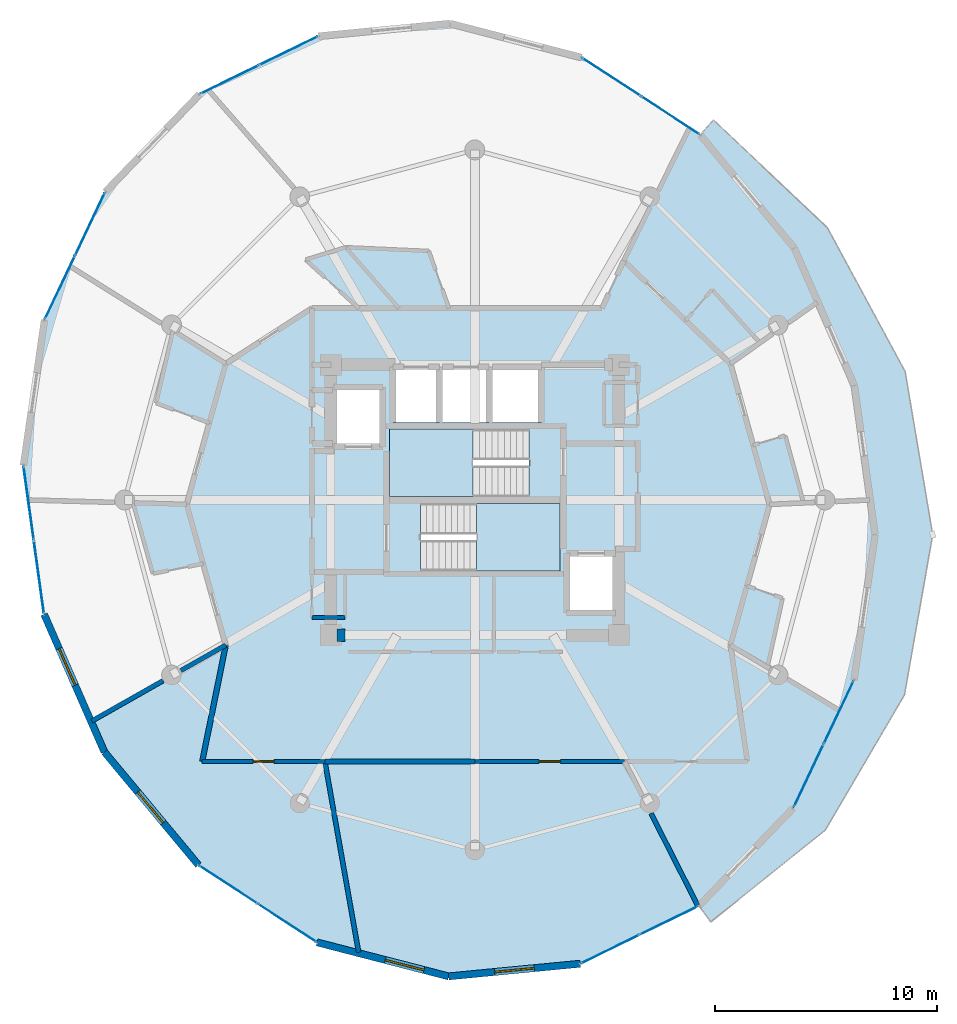
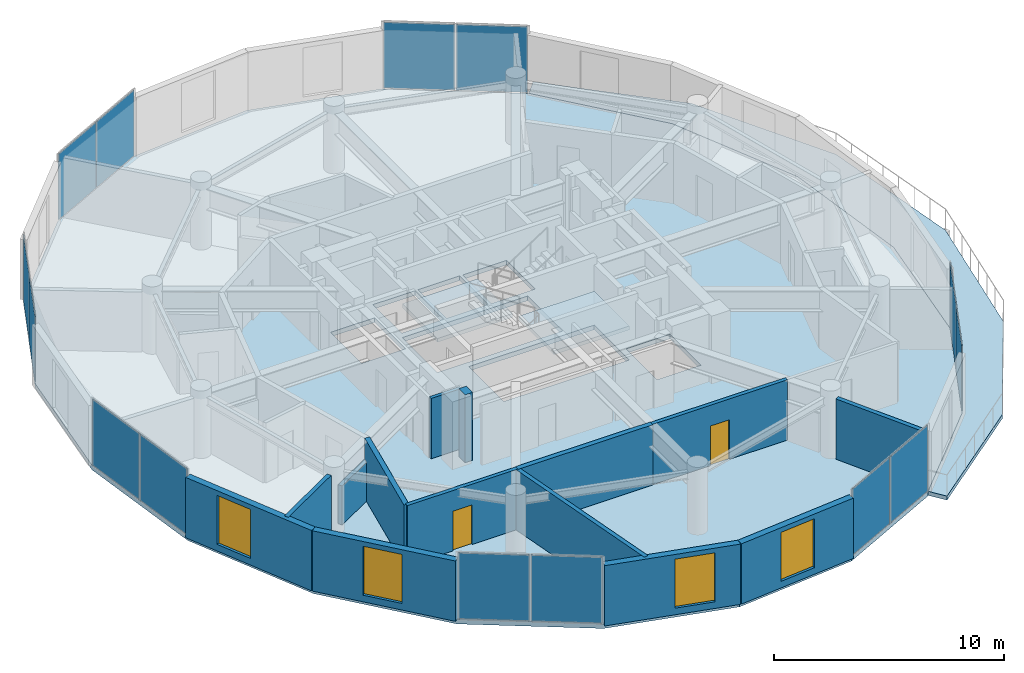
# One storey, part 16 of 22: 14 plates, 14 walls, 4 slabs, 4 windows, 2 doors, 6 openings, 9 elements without a shape of their own.
"""IFC4 building model written with IfcOpenShell, lengths in metres."""

from ifc_helpers import new_model, si_unit, direction, frame, frame_2d, origin, origin_2d, place, context, subcontext, project, spatial, polyline, rectangle, outline, extrude, source, transform, mapped, material, layer, layer_set, type_object, element, fill, aggregate, save


model = new_model("IFC4")

# Units and contexts
model_context = context("Model", 3, precision=1e-05, world=origin(), true_north=direction((0.0, 1.0)))
body_context = subcontext(model_context, "Body", "Model", "MODEL_VIEW")
ifc_project = project(units=[si_unit("LENGTHUNIT", "METRE"), si_unit("AREAUNIT", "SQUARE_METRE"), si_unit("VOLUMEUNIT", "CUBIC_METRE"), si_unit("PLANEANGLEUNIT", "RADIAN"), si_unit("MASSUNIT", "GRAM", prefix="KILO")], contexts=[model_context])

# Site, building, storey
site_placement = place(None, origin())
site = spatial("IfcSite", under=ifc_project, at=site_placement, CompositionType="ELEMENT")
building_placement = place(site_placement, origin())
building = spatial("IfcBuilding", under=site, at=building_placement, Name="Solvirekh Grand Hotel", CompositionType="ELEMENT")
storey_placement = place(building_placement, frame((0.0, 0.0, 230.800048828125)))
storey = spatial("IfcBuildingStorey", under=building, at=storey_placement, Name="L60", CompositionType="ELEMENT", Elevation=230.800048828125)

# Slab
ifc_material_1 = material(Name="Concrete C50/60", Category="concrete")
ifc_layer_1 = layer(ifc_material_1, 0.215087890625)
ifc_layer_set_1 = layer_set([ifc_layer_1], Name="Concrete C50/60")
slab_type_1 = type_object("IfcSlabType", Name="ExtCrescentBalc_215", PredefinedType="FLOOR", material=ifc_layer_set_1)
slab_1_placement = place(storey_placement, frame((0.0, 0.0, -0.215087890625)))
element("IfcSlab", 1, at=slab_1_placement, inside=storey, type_object=slab_type_1, Name="L60 sweeping crescent balcony slab", PredefinedType="FLOOR", context=body_context, shape_type="SweptSolid", body=[
    extrude(outline(polyline([(10.64990234375, -19.0400390625), (15.820068359375, -14.89208984375), (19.388916015625, -8.80810546875), (20.666015625, -1.56396484375), (19.4189453125, 5.804931640625), (15.906005859375, 12.2939453125), (10.77099609375, 17.14892578125), (10.1708984375, 16.47900390625), (14.4150390625, 11.3759765625), (17.135986328125, 5.160888671875), (18.06591796875, -1.56005859375), (17.115966796875, -8.12890625), (14.376953125, -13.90087890625), (10.118896484375, -18.31298828125), (10.64990234375, -19.0400390625)])), origin(), (0.0, 0.0, 1.0), 0.215087890625),
])

# Stair, slab
ifc_material_2 = material(Name="Concrete C40/50", Category="concrete")
stair_type = type_object("IfcStairType", Name="Stair_Core_1450", PredefinedType="HALF_TURN_STAIR", material=ifc_material_2)
stair_1_placement = place(storey_placement, origin())
stair_1 = element("IfcStair", 2, at=stair_1_placement, inside=storey, type_object=stair_type, Name="L60 Enclosed exit stair ST-1", PredefinedType="HALF_TURN_STAIR")
ifc_layer_2 = layer(ifc_material_2, 0.199951171875)
ifc_layer_set_2 = layer_set([ifc_layer_2], Name="Concrete C40/50")
slab_type_2 = type_object("IfcSlabType", Name="Landing_Stair_200", PredefinedType="LANDING", material=ifc_layer_set_2)
slab_2_placement = place(storey_placement, frame((0.0, 0.0, 1.599853515625)))
slab_2 = element("IfcSlab", 3, at=slab_2_placement, type_object=slab_type_2, Name="ST-1 landing 1", PredefinedType="LANDING", context=body_context, shape_type="SweptSolid", body=[
    extrude(outline(polyline([(0.070068359375, -3.199951171875), (3.85009765625, -3.199951171875), (3.85009765625, -0.14990234375), (0.070068359375, -0.14990234375), (0.070068359375, -3.199951171875)])), origin(), (0.0, 0.0, 1.0), 0.2001953125),
])
aggregate(stair_1, [slab_2])

stair_2_placement = place(storey_placement, origin())
stair_2 = element("IfcStair", 4, at=stair_2_placement, inside=storey, type_object=stair_type, Name="L60 Enclosed exit stair ST-2", PredefinedType="HALF_TURN_STAIR")
slab_3_placement = place(storey_placement, frame((0.0, 0.0, 1.599853515625)))
slab_3 = element("IfcSlab", 5, at=slab_3_placement, type_object=slab_type_2, Name="ST-2 landing 1", PredefinedType="LANDING", context=body_context, shape_type="SweptSolid", body=[
    extrude(outline(polyline([(-0.070068359375, 3.199951171875), (-3.85009765625, 3.199951171875), (-3.85009765625, 0.14990234375), (-0.070068359375, 0.14990234375), (-0.070068359375, 3.199951171875)])), origin(), (0.0, 0.0, 1.0), 0.2001953125),
])
aggregate(stair_2, [slab_3])

# Slab
ifc_layer_3 = layer(ifc_material_2, 0.239990234375)
ifc_layer_set_3 = layer_set([ifc_layer_3], Name="Concrete C40/50")
slab_type_3 = type_object("IfcSlabType", Name="Slab_GuestZ3_240", PredefinedType="FLOOR", material=ifc_layer_set_3)
slab_4_placement = place(storey_placement, frame((0.0, 0.0, -0.239990234375)))
element("IfcSlab", 6, at=slab_4_placement, inside=storey, type_object=slab_type_3, Name="L60 structural floor slab", PredefinedType="FLOOR", context=body_context, shape_type="SweptSolid", body=[
    extrude(outline(polyline([(4.757080078125, -20.931884765625), (10.118896484375, -18.31298828125), (14.376953125, -13.90087890625), (17.115966796875, -8.12890625), (18.06591796875, -1.56005859375), (17.135986328125, 5.160888671875), (14.4150390625, 11.3759765625), (10.1708984375, 16.47900390625), (4.819091796875, 19.968017578125), (-1.117919921875, 21.5029296875), (-7.056884765625, 20.931884765625), (-12.4189453125, 18.31298828125), (-16.677001953125, 13.90087890625), (-19.416015625, 8.12890625), (-20.365966796875, 1.56005859375), (-19.43603515625, -5.160888671875), (-16.715087890625, -11.3759765625), (-12.470947265625, -16.47900390625), (-7.118896484375, -19.968017578125), (-1.181884765625, -21.5029296875), (4.757080078125, -20.931884765625)]), holes=[polyline([(-2.444091796875, -0.14990234375), (3.85009765625, -0.14990234375), (3.85009765625, -3.199951171875), (-2.444091796875, -3.199951171875), (-2.444091796875, -0.14990234375)]), polyline([(2.444091796875, 0.14990234375), (-3.85009765625, 0.14990234375), (-3.85009765625, 3.199951171875), (2.444091796875, 3.199951171875), (2.444091796875, 0.14990234375)]), polyline([(-3.699951171875, 6.0), (-1.60009765625, 6.0), (-1.60009765625, 3.5), (-3.699951171875, 3.5), (-3.699951171875, 6.0)]), polyline([(-1.449951171875, 6.0), (0.64990234375, 6.0), (0.64990234375, 3.5), (-1.449951171875, 3.5), (-1.449951171875, 6.0)]), polyline([(0.800048828125, 6.0), (3.0, 6.0), (3.0, 3.5), (0.800048828125, 3.5), (0.800048828125, 6.0)]), polyline([(-6.35009765625, 5.10009765625), (-4.14990234375, 5.10009765625), (-4.14990234375, 2.39990234375), (-6.35009765625, 2.39990234375), (-6.35009765625, 5.10009765625)]), polyline([(4.14990234375, -2.39990234375), (6.35009765625, -2.39990234375), (6.35009765625, -5.10009765625), (4.14990234375, -5.10009765625), (4.14990234375, -2.39990234375)])]), origin(), (0.0, 0.0, 1.0), 0.239990234375),
])

# Curtain wall, plates
ifc_material_3 = material(Name="Anodized Bronze Aluminium 6063-T6", Category="aluminium")
ifc_layer_4 = layer(ifc_material_3, 0.159912109375)
ifc_layer_set_4 = layer_set([ifc_layer_4], Name="Anodized Bronze Aluminium 6063-T6")
curtain_wall_type = type_object("IfcCurtainWallType", Name="CW_Sys4_HighZoneFlushBronzeCW", PredefinedType="NOTDEFINED", material=ifc_layer_set_4)
curtain_wall_1_placement = place(storey_placement, origin())
curtain_wall_1 = element("IfcCurtainWall", 7, at=curtain_wall_1_placement, inside=storey, type_object=curtain_wall_type, Name="L60 unitised bronze-glass curtain wall CW-L60-C15", PredefinedType="NOTDEFINED")
ifc_material_4 = material(Name="Low-E Tinted Bronze Laminated Glass", Category="aluminium")
ifc_layer_5 = layer(ifc_material_4, 0.033935546875)
ifc_layer_set_5 = layer_set([ifc_layer_5], Name="Low-E Tinted Bronze Laminated Glass")
plate_type = type_object("IfcPlateType", Name="CWPanel_High_34", PredefinedType="CURTAIN_PANEL", material=ifc_layer_set_5)
shared_shape_1 = source(origin(), body_context, "Body", "SweptSolid", [
    extrude(rectangle(XDim=3.302490234375, YDim=0.033935546875, at=origin_2d()), origin(), (0.0, 0.0, 1.0), 3.489990234375),
])
plate_1_placement = place(storey_placement, frame((-20.13134765625, -0.135009765625, 0.05517578125), z_axis=(0.0, 0.0, 1.0), x_axis=(0.13706629153, -0.990561876778, 0.0)))
plate_1 = element("IfcPlate", 8, at=plate_1_placement, type_object=plate_type, Name="U04 panel 1.1", PredefinedType="CURTAIN_PANEL", context=body_context, shape_type="MappedRepresentation", body=[
    mapped(shared_shape_1, transform((0.0, 0.0, 0.0), x_axis=(1.0, 0.0, 0.0), y_axis=(0.0, 1.0, 0.0), z_axis=(0.0, 0.0, 1.0), scale=1.0)),
])
plate_2_placement = place(storey_placement, frame((-19.670654296875, -3.4658203125, 0.05517578125), z_axis=(0.0, 0.0, 1.0), x_axis=(0.13706629153, -0.990561876778, 0.0)))
plate_2 = element("IfcPlate", 9, at=plate_2_placement, type_object=plate_type, Name="U04 panel 2.1", PredefinedType="CURTAIN_PANEL", context=body_context, shape_type="MappedRepresentation", body=[
    mapped(shared_shape_1, transform((0.0, 0.0, 0.0), x_axis=(1.0, 0.0, 0.0), y_axis=(0.0, 1.0, 0.0), z_axis=(0.0, 0.0, 1.0), scale=1.0)),
])
aggregate(curtain_wall_1, [plate_1, plate_2])

curtain_wall_2_placement = place(storey_placement, origin())
curtain_wall_2 = element("IfcCurtainWall", 10, at=curtain_wall_2_placement, inside=storey, type_object=curtain_wall_type, Name="L60 unitised bronze-glass curtain wall CW-L60-C03", PredefinedType="NOTDEFINED")
shared_shape_2 = source(origin(), body_context, "Body", "SweptSolid", [
    extrude(rectangle(XDim=3.1044921875, YDim=0.033935546875, at=origin_2d()), origin(), (0.0, 0.0, 1.0), 3.489990234375),
])
plate_3_placement = place(storey_placement, frame((15.068115234375, -12.4443359375, 0.05517578125), z_axis=(0.0, 0.0, 1.0), x_axis=(0.428711973396, 0.90344122325, 0.0)))
plate_3 = element("IfcPlate", 11, at=plate_3_placement, type_object=plate_type, Name="U04 panel 1.1", PredefinedType="CURTAIN_PANEL", context=body_context, shape_type="MappedRepresentation", body=[
    mapped(shared_shape_2, transform((0.0, 0.0, 0.0), x_axis=(1.0, 0.0, 0.0), y_axis=(0.0, 1.0, 0.0), z_axis=(0.0, 0.0, 1.0), scale=1.0)),
])
plate_4_placement = place(storey_placement, frame((16.4248046875, -9.58544921875, 0.05517578125), z_axis=(0.0, 0.0, 1.0), x_axis=(0.428711973396, 0.90344122325, 0.0)))
plate_4 = element("IfcPlate", 12, at=plate_4_placement, type_object=plate_type, Name="U04 panel 2.1", PredefinedType="CURTAIN_PANEL", context=body_context, shape_type="MappedRepresentation", body=[
    mapped(shared_shape_2, transform((0.0, 0.0, 0.0), x_axis=(1.0, 0.0, 0.0), y_axis=(0.0, 1.0, 0.0), z_axis=(0.0, 0.0, 1.0), scale=1.0)),
])
aggregate(curtain_wall_2, [plate_3, plate_4])

curtain_wall_3_placement = place(storey_placement, origin())
curtain_wall_3 = element("IfcCurtainWall", 13, at=curtain_wall_3_placement, inside=storey, type_object=curtain_wall_type, Name="L60 unitised bronze-glass curtain wall CW-L60-C08", PredefinedType="NOTDEFINED")
plate_5_placement = place(storey_placement, frame((8.8203125, 17.359375, 0.05517578125), z_axis=(0.0, 0.0, 1.0), x_axis=(-0.837713339434, 0.546110209514, 0.0)))
plate_5 = element("IfcPlate", 14, at=plate_5_placement, type_object=plate_type, Name="U04 panel 1.1", PredefinedType="CURTAIN_PANEL", context=body_context, shape_type="MappedRepresentation", body=[
    mapped(shared_shape_2, transform((0.0, 0.0, 0.0), x_axis=(1.0, 0.0, 0.0), y_axis=(0.0, 1.0, 0.0), z_axis=(0.0, 0.0, 1.0), scale=1.0)),
])
plate_6_placement = place(storey_placement, frame((6.169677734375, 19.087646484375, 0.05517578125), z_axis=(0.0, 0.0, 1.0), x_axis=(-0.837713339434, 0.546110209514, 0.0)))
plate_6 = element("IfcPlate", 15, at=plate_6_placement, type_object=plate_type, Name="U04 panel 2.1", PredefinedType="CURTAIN_PANEL", context=body_context, shape_type="MappedRepresentation", body=[
    mapped(shared_shape_2, transform((0.0, 0.0, 0.0), x_axis=(1.0, 0.0, 0.0), y_axis=(0.0, 1.0, 0.0), z_axis=(0.0, 0.0, 1.0), scale=1.0)),
])
aggregate(curtain_wall_3, [plate_5, plate_6])

curtain_wall_4_placement = place(storey_placement, origin())
curtain_wall_4 = element("IfcCurtainWall", 16, at=curtain_wall_4_placement, inside=storey, type_object=curtain_wall_type, Name="L60 unitised bronze-glass curtain wall CW-L60-C13", PredefinedType="NOTDEFINED")
plate_7_placement = place(storey_placement, frame((-17.3681640625, 12.4443359375, 0.05517578125), z_axis=(0.0, 0.0, 1.0), x_axis=(-0.428711973396, -0.90344122325, 0.0)))
plate_7 = element("IfcPlate", 17, at=plate_7_placement, type_object=plate_type, Name="U04 panel 1.1", PredefinedType="CURTAIN_PANEL", context=body_context, shape_type="MappedRepresentation", body=[
    mapped(shared_shape_2, transform((0.0, 0.0, 0.0), x_axis=(1.0, 0.0, 0.0), y_axis=(0.0, 1.0, 0.0), z_axis=(0.0, 0.0, 1.0), scale=1.0)),
])
plate_8_placement = place(storey_placement, frame((-18.724853515625, 9.58544921875, 0.05517578125), z_axis=(0.0, 0.0, 1.0), x_axis=(-0.428711973396, -0.90344122325, 0.0)))
plate_8 = element("IfcPlate", 18, at=plate_8_placement, type_object=plate_type, Name="U04 panel 2.1", PredefinedType="CURTAIN_PANEL", context=body_context, shape_type="MappedRepresentation", body=[
    mapped(shared_shape_2, transform((0.0, 0.0, 0.0), x_axis=(1.0, 0.0, 0.0), y_axis=(0.0, 1.0, 0.0), z_axis=(0.0, 0.0, 1.0), scale=1.0)),
])
aggregate(curtain_wall_4, [plate_7, plate_8])

curtain_wall_5_placement = place(storey_placement, origin())
curtain_wall_5 = element("IfcCurtainWall", 19, at=curtain_wall_5_placement, inside=storey, type_object=curtain_wall_type, Name="L60 unitised bronze-glass curtain wall CW-L60-C18", PredefinedType="NOTDEFINED")
plate_9_placement = place(storey_placement, frame((-11.120361328125, -17.359375, 0.05517578125), z_axis=(0.0, 0.0, 1.0), x_axis=(0.837713339434, -0.546110209514, 0.0)))
plate_9 = element("IfcPlate", 20, at=plate_9_placement, type_object=plate_type, Name="U04 panel 1.1", PredefinedType="CURTAIN_PANEL", context=body_context, shape_type="MappedRepresentation", body=[
    mapped(shared_shape_2, transform((0.0, 0.0, 0.0), x_axis=(1.0, 0.0, 0.0), y_axis=(0.0, 1.0, 0.0), z_axis=(0.0, 0.0, 1.0), scale=1.0)),
])
plate_10_placement = place(storey_placement, frame((-8.469482421875, -19.087646484375, 0.05517578125), z_axis=(0.0, 0.0, 1.0), x_axis=(0.837713339434, -0.546110209514, 0.0)))
plate_10 = element("IfcPlate", 21, at=plate_10_placement, type_object=plate_type, Name="U04 panel 2.1", PredefinedType="CURTAIN_PANEL", context=body_context, shape_type="MappedRepresentation", body=[
    mapped(shared_shape_2, transform((0.0, 0.0, 0.0), x_axis=(1.0, 0.0, 0.0), y_axis=(0.0, 1.0, 0.0), z_axis=(0.0, 0.0, 1.0), scale=1.0)),
])
aggregate(curtain_wall_5, [plate_9, plate_10])

curtain_wall_6_placement = place(storey_placement, origin())
curtain_wall_6 = element("IfcCurtainWall", 22, at=curtain_wall_6_placement, inside=storey, type_object=curtain_wall_type, Name="L60 unitised bronze-glass curtain wall CW-L60-C01", PredefinedType="NOTDEFINED")
shared_shape_3 = source(origin(), body_context, "Body", "SweptSolid", [
    extrude(rectangle(XDim=2.893798828125, YDim=0.033935546875, at=origin_2d()), origin(), (0.0, 0.0, 1.0), 3.489990234375),
])
plate_11_placement = place(storey_placement, frame((6.111083984375, -20.270751953125, 0.05517578125), z_axis=(0.0, 0.0, 1.0), x_axis=(0.898544463853, 0.438882497349, 0.0)))
plate_11 = element("IfcPlate", 23, at=plate_11_placement, type_object=plate_type, Name="U04 panel 1.1", PredefinedType="CURTAIN_PANEL", context=body_context, shape_type="MappedRepresentation", body=[
    mapped(shared_shape_3, transform((0.0, 0.0, 0.0), x_axis=(1.0, 0.0, 0.0), y_axis=(0.0, 1.0, 0.0), z_axis=(0.0, 0.0, 1.0), scale=1.0)),
])
plate_12_placement = place(storey_placement, frame((8.76513671875, -18.974365234375, 0.05517578125), z_axis=(0.0, 0.0, 1.0), x_axis=(0.898544463853, 0.438882497349, 0.0)))
plate_12 = element("IfcPlate", 24, at=plate_12_placement, type_object=plate_type, Name="U04 panel 2.1", PredefinedType="CURTAIN_PANEL", context=body_context, shape_type="MappedRepresentation", body=[
    mapped(shared_shape_3, transform((0.0, 0.0, 0.0), x_axis=(1.0, 0.0, 0.0), y_axis=(0.0, 1.0, 0.0), z_axis=(0.0, 0.0, 1.0), scale=1.0)),
])
aggregate(curtain_wall_6, [plate_11, plate_12])

curtain_wall_7_placement = place(storey_placement, origin())
curtain_wall_7 = element("IfcCurtainWall", 25, at=curtain_wall_7_placement, inside=storey, type_object=curtain_wall_type, Name="L60 unitised bronze-glass curtain wall CW-L60-C11", PredefinedType="NOTDEFINED")
plate_13_placement = place(storey_placement, frame((-8.410888671875, 20.270751953125, 0.05517578125), z_axis=(0.0, 0.0, 1.0), x_axis=(-0.898544463853, -0.438882497349, 0.0)))
plate_13 = element("IfcPlate", 26, at=plate_13_placement, type_object=plate_type, Name="U04 panel 1.1", PredefinedType="CURTAIN_PANEL", context=body_context, shape_type="MappedRepresentation", body=[
    mapped(shared_shape_3, transform((0.0, 0.0, 0.0), x_axis=(1.0, 0.0, 0.0), y_axis=(0.0, 1.0, 0.0), z_axis=(0.0, 0.0, 1.0), scale=1.0)),
])
plate_14_placement = place(storey_placement, frame((-11.06494140625, 18.974365234375, 0.05517578125), z_axis=(0.0, 0.0, 1.0), x_axis=(-0.898544463853, -0.438882497349, 0.0)))
plate_14 = element("IfcPlate", 27, at=plate_14_placement, type_object=plate_type, Name="U04 panel 2.1", PredefinedType="CURTAIN_PANEL", context=body_context, shape_type="MappedRepresentation", body=[
    mapped(shared_shape_3, transform((0.0, 0.0, 0.0), x_axis=(1.0, 0.0, 0.0), y_axis=(0.0, 1.0, 0.0), z_axis=(0.0, 0.0, 1.0), scale=1.0)),
])
aggregate(curtain_wall_7, [plate_13, plate_14])

# Wall
ifc_layer_6 = layer(ifc_material_1, 0.550048828125)
ifc_layer_set_6 = layer_set([ifc_layer_6], Name="Concrete C50/60")
wall_type_1 = type_object("IfcWallType", Name="CoreWall_RC550", PredefinedType="SHEAR", material=ifc_layer_set_6)
wall_1_placement = place(storey_placement, frame((-6.22509765625, -6.10009765625, 0.0), z_axis=(0.0, 0.0, 1.0), x_axis=(1.0, 0.0, 0.0)))
element("IfcWall", 28, at=wall_1_placement, inside=storey, type_object=wall_type_1, Name="L60 core corner shear wall SW-S", PredefinedType="SHEAR", context=body_context, shape_type="SweptSolid", body=[
    extrude(rectangle(XDim=0.375, YDim=0.550048828125, at=frame_2d((0.1875, 0.0))), origin(), (0.0, 0.0, 1.0), 3.599853515625),
])

# Wall, opening, window
ifc_material_5 = material(Name="Precast concrete C45/55", Category="concrete")
ifc_layer_7 = layer(ifc_material_5, 0.320068359375)
ifc_layer_set_7 = layer_set([ifc_layer_7], Name="Precast concrete C45/55")
wall_type_2 = type_object("IfcWallType", Name="ExtLobbyWall_RC320", PredefinedType="SOLIDWALL", material=ifc_layer_set_7)
wall_2_placement = place(storey_placement, frame((-16.715087890625, -11.3759765625, 0.0), z_axis=(0.0, 0.0, 1.0), x_axis=(-0.401047234641, 0.916057375707, 0.0)))
wall_2 = element("IfcWall", 29, at=wall_2_placement, inside=storey, type_object=wall_type_2, Name="L60 exterior structural wall chord 16", PredefinedType="SOLIDWALL", context=body_context, shape_type="SweptSolid", body=[
    extrude(rectangle(XDim=6.78466796875, YDim=0.320068359375, at=frame_2d((3.392333984375, 0.0))), origin(), (0.0, 0.0, 1.0), 3.199951171875),
])
opening_1_placement = place(wall_2_placement, frame((3.2958984375, 0.0, 0.35009765625)))
opening_1 = element("IfcOpeningElement", 30, at=opening_1_placement, cuts=wall_2, Name="Opening W02", PredefinedType="OPENING", context=body_context, shape_type="SweptSolid", body=[
    extrude(rectangle(XDim=1.800048828125, YDim=2.60009765625, at=frame_2d((0.89990234375, 1.300048828125))), frame((0.0, 0.169921875, 0.0), z_axis=(0.0, -1.0, 0.0), x_axis=(1.0, 0.0, 0.0)), (0.0, 0.0, 1.0), 0.340087890625),
])
window_type = type_object("IfcWindowType", Name="Win_LobbyExt_1800X2600", PartitioningType="SINGLE_PANEL", PredefinedType="WINDOW", material=ifc_material_4)
window_1_placement = place(opening_1_placement, origin())
window_1 = element("IfcWindow", 31, at=window_1_placement, inside=storey, type_object=window_type, Name="L60 panoramic bronze-framed window 16", OverallHeight=2.60009765625, OverallWidth=1.800048828125, PartitioningType="SINGLE_PANEL", PredefinedType="WINDOW", context=body_context, shape_type="SweptSolid", body=[
    extrude(rectangle(XDim=1.800048828125, YDim=2.60009765625, at=frame_2d((0.89990234375, 1.300048828125))), frame((0.0, 0.030029296875, 0.0), z_axis=(0.0, -1.0, 0.0), x_axis=(1.0, 0.0, 0.0)), (0.0, 0.0, 1.0), 0.06005859375),
])
fill(opening_1, window_1)

wall_3_placement = place(storey_placement, frame((-12.470947265625, -16.47900390625, 0.0), z_axis=(0.0, 0.0, 1.0), x_axis=(-0.639438786748, 0.76884201108, 0.0)))
wall_3 = element("IfcWall", 32, at=wall_3_placement, inside=storey, type_object=wall_type_2, Name="L60 exterior structural wall chord 17", PredefinedType="SOLIDWALL", context=body_context, shape_type="SweptSolid", body=[
    extrude(rectangle(XDim=6.63720703125, YDim=0.320068359375, at=frame_2d((3.318603515625, 0.0))), origin(), (0.0, 0.0, 1.0), 3.199951171875),
])
opening_2_placement = place(wall_3_placement, frame((2.488037109375, 0.0, 0.35009765625)))
opening_2 = element("IfcOpeningElement", 33, at=opening_2_placement, cuts=wall_3, Name="Opening W02", PredefinedType="OPENING", context=body_context, shape_type="SweptSolid", body=[
    extrude(rectangle(XDim=1.800048828125, YDim=2.60009765625, at=frame_2d((0.89990234375, 1.300048828125))), frame((0.0, 0.169921875, 0.0), z_axis=(0.0, -1.0, 0.0), x_axis=(1.0, 0.0, 0.0)), (0.0, 0.0, 1.0), 0.340087890625),
])
window_2_placement = place(opening_2_placement, origin())
window_2 = element("IfcWindow", 34, at=window_2_placement, inside=storey, type_object=window_type, Name="L60 panoramic bronze-framed window 17", OverallHeight=2.60009765625, OverallWidth=1.800048828125, PartitioningType="SINGLE_PANEL", PredefinedType="WINDOW", context=body_context, shape_type="SweptSolid", body=[
    extrude(rectangle(XDim=1.800048828125, YDim=2.60009765625, at=frame_2d((0.89990234375, 1.300048828125))), frame((0.0, 0.030029296875, 0.0), z_axis=(0.0, -1.0, 0.0), x_axis=(1.0, 0.0, 0.0)), (0.0, 0.0, 1.0), 0.06005859375),
])
fill(opening_2, window_2)

wall_4_placement = place(storey_placement, frame((-1.181884765625, -21.5029296875, 0.0), z_axis=(0.0, 0.0, 1.0), x_axis=(-0.968167541314, 0.250303040227, 0.0)))
wall_4 = element("IfcWall", 35, at=wall_4_placement, inside=storey, type_object=wall_type_2, Name="L60 exterior structural wall chord 19", PredefinedType="SOLIDWALL", context=body_context, shape_type="SweptSolid", body=[
    extrude(rectangle(XDim=6.13232421875, YDim=0.320068359375, at=frame_2d((3.066162109375, 0.0))), origin(), (0.0, 0.0, 1.0), 3.199951171875),
])
opening_3_placement = place(wall_4_placement, frame((1.15087890625, 0.0, 0.35009765625)))
opening_3 = element("IfcOpeningElement", 36, at=opening_3_placement, cuts=wall_4, Name="Opening W02", PredefinedType="OPENING", context=body_context, shape_type="SweptSolid", body=[
    extrude(rectangle(XDim=1.800048828125, YDim=2.60009765625, at=frame_2d((0.89990234375, 1.300048828125))), frame((0.0, 0.169921875, 0.0), z_axis=(0.0, -1.0, 0.0), x_axis=(1.0, 0.0, 0.0)), (0.0, 0.0, 1.0), 0.340087890625),
])
window_3_placement = place(opening_3_placement, origin())
window_3 = element("IfcWindow", 37, at=window_3_placement, inside=storey, type_object=window_type, Name="L60 panoramic bronze-framed window 19", OverallHeight=2.60009765625, OverallWidth=1.800048828125, PartitioningType="SINGLE_PANEL", PredefinedType="WINDOW", context=body_context, shape_type="SweptSolid", body=[
    extrude(rectangle(XDim=1.800048828125, YDim=2.60009765625, at=frame_2d((0.89990234375, 1.300048828125))), frame((0.0, 0.030029296875, 0.0), z_axis=(0.0, -1.0, 0.0), x_axis=(1.0, 0.0, 0.0)), (0.0, 0.0, 1.0), 0.06005859375),
])
fill(opening_3, window_3)

wall_5_placement = place(storey_placement, frame((4.757080078125, -20.931884765625, 0.0), z_axis=(0.0, 0.0, 1.0), x_axis=(-0.995409179042, -0.095710847233, 0.0)))
wall_5 = element("IfcWall", 38, at=wall_5_placement, inside=storey, type_object=wall_type_2, Name="L60 exterior structural wall chord 20", PredefinedType="SOLIDWALL", context=body_context, shape_type="SweptSolid", body=[
    extrude(rectangle(XDim=5.96630859375, YDim=0.320068359375, at=frame_2d((2.983154296875, 0.0))), origin(), (0.0, 0.0, 1.0), 3.199951171875),
])
opening_4_placement = place(wall_5_placement, frame((2.0830078125, 0.0, 0.35009765625)))
opening_4 = element("IfcOpeningElement", 39, at=opening_4_placement, cuts=wall_5, Name="Opening W02", PredefinedType="OPENING", context=body_context, shape_type="SweptSolid", body=[
    extrude(rectangle(XDim=1.800048828125, YDim=2.60009765625, at=frame_2d((0.89990234375, 1.300048828125))), frame((0.0, 0.169921875, 0.0), z_axis=(0.0, -1.0, 0.0), x_axis=(1.0, 0.0, 0.0)), (0.0, 0.0, 1.0), 0.340087890625),
])
window_4_placement = place(opening_4_placement, origin())
window_4 = element("IfcWindow", 40, at=window_4_placement, inside=storey, type_object=window_type, Name="L60 panoramic bronze-framed window 20", OverallHeight=2.60009765625, OverallWidth=1.800048828125, PartitioningType="SINGLE_PANEL", PredefinedType="WINDOW", context=body_context, shape_type="SweptSolid", body=[
    extrude(rectangle(XDim=1.800048828125, YDim=2.60009765625, at=frame_2d((0.89990234375, 1.300048828125))), frame((0.0, 0.030029296875, 0.0), z_axis=(0.0, -1.0, 0.0), x_axis=(1.0, 0.0, 0.0)), (0.0, 0.0, 1.0), 0.06005859375),
])
fill(opening_4, window_4)

# Walls
ifc_material_6 = material(Name="Acoustic Gypsum Partition Assembly")
ifc_layer_8 = layer(ifc_material_6, 0.1650390625)
ifc_layer_set_8 = layer_set([ifc_layer_8], Name="Acoustic Gypsum Partition Assembly")
wall_type_3 = type_object("IfcWallType", Name="Part_BOH_165", PredefinedType="PARTITIONING", material=ifc_layer_set_8)
wall_6_placement = place(storey_placement, frame((-7.35009765625, -5.300048828125, 0.0), z_axis=(0.0, 0.0, 1.0), x_axis=(1.0, 0.0, 0.0)))
element("IfcWall", 41, at=wall_6_placement, inside=storey, type_object=wall_type_3, Name="L60 L60 Butler Service Closet wall 1", PredefinedType="PARTITIONING", context=body_context, shape_type="SweptSolid", body=[
    extrude(rectangle(XDim=1.5, YDim=0.1650390625, at=frame_2d((0.75, 0.0))), origin(), (0.0, 0.0, 1.0), 3.199951171875),
])
ifc_layer_9 = layer(ifc_material_6, 0.239990234375)
ifc_layer_set_9 = layer_set([ifc_layer_9], Name="Acoustic Gypsum Partition Assembly")
wall_type_4 = type_object("IfcWallType", Name="Part_Corridor_240", PredefinedType="PARTITIONING", material=ifc_layer_set_9)
wall_7_placement = place(storey_placement, frame((-11.238037109375, -6.550048828125, 0.0), z_axis=(0.0, 0.0, 1.0), x_axis=(-0.198271934001, -0.980147050288, 0.0)))
element("IfcWall", 42, at=wall_7_placement, inside=storey, type_object=wall_type_4, Name="L60 L60 Observatory Reading Lounge corridor wall 1", PredefinedType="PARTITIONING", context=body_context, shape_type="SweptSolid", body=[
    extrude(rectangle(XDim=5.3564453125, YDim=0.239990234375, at=frame_2d((2.67822265625, 0.0))), origin(), (0.0, 0.0, 1.0), 3.199951171875),
])
wall_8_placement = place(storey_placement, frame((-6.764892578125, -11.800048828125, 0.0), z_axis=(0.0, 0.0, 1.0), x_axis=(1.0, 0.0, 0.0)))
element("IfcWall", 43, at=wall_8_placement, inside=storey, type_object=wall_type_4, Name="L60 L60 Riverfront Reading Lounge corridor wall 1", PredefinedType="PARTITIONING", context=body_context, shape_type="SweptSolid", body=[
    extrude(rectangle(XDim=6.764892578125, YDim=0.239990234375, at=frame_2d((3.38232421875, 0.0))), origin(), (0.0, 0.0, 1.0), 3.199951171875),
])

# Wall, opening, door
ifc_layer_10 = layer(ifc_material_6, 0.18994140625)
ifc_layer_set_10 = layer_set([ifc_layer_10], Name="Acoustic Gypsum Partition Assembly")
wall_type_5 = type_object("IfcWallType", Name="Part_GuestDemise_190", PredefinedType="PARTITIONING", material=ifc_layer_set_10)
wall_9_placement = place(storey_placement, frame((-12.300048828125, -11.800048828125, 0.0), z_axis=(0.0, 0.0, 1.0), x_axis=(1.0, 0.0, 0.0)))
wall_9 = element("IfcWall", 44, at=wall_9_placement, inside=storey, type_object=wall_type_5, Name="L60 L60 Observatory Reading Lounge entrance wall", PredefinedType="PARTITIONING", context=body_context, shape_type="SweptSolid", body=[
    extrude(rectangle(XDim=5.53515625, YDim=0.18994140625, at=frame_2d((2.767578125, 0.0))), origin(), (0.0, 0.0, 1.0), 3.199951171875),
])
opening_5_placement = place(wall_9_placement, frame((2.29296875, 0.0, 0.0)))
opening_5 = element("IfcOpeningElement", 45, at=opening_5_placement, cuts=wall_9, Name="Opening D10", PredefinedType="OPENING", context=body_context, shape_type="SweptSolid", body=[
    extrude(rectangle(XDim=0.949951171875, YDim=2.10009765625, at=frame_2d((0.47509765625, 1.050048828125))), frame((0.0, 0.10498046875, 0.0), z_axis=(0.0, -1.0, 0.0), x_axis=(1.0, 0.0, 0.0)), (0.0, 0.0, 1.0), 0.2099609375),
])
door_type = type_object("IfcDoorType", Name="Door_RoomInt_950X2100", OperationType="NOTDEFINED", PredefinedType="DOOR", material=ifc_material_3)
door_1_placement = place(opening_5_placement, origin())
door_1 = element("IfcDoor", 46, at=door_1_placement, inside=storey, type_object=door_type, Name="L60 L60 Observatory Reading Lounge entrance door", OperationType="SINGLE_SWING_LEFT", OverallHeight=2.10009765625, OverallWidth=0.949951171875, PredefinedType="DOOR", context=body_context, shape_type="SweptSolid", body=[
    extrude(rectangle(XDim=0.949951171875, YDim=2.10009765625, at=frame_2d((0.47509765625, 1.050048828125))), frame((0.0, 0.02490234375, 0.0), z_axis=(0.0, -1.0, 0.0), x_axis=(1.0, 0.0, 0.0)), (0.0, 0.0, 1.0), 0.050048828125),
])
fill(opening_5, door_1)

wall_10_placement = place(storey_placement, frame((0.0, -11.800048828125, 0.0), z_axis=(0.0, 0.0, 1.0), x_axis=(1.0, 0.0, 0.0)))
wall_10 = element("IfcWall", 47, at=wall_10_placement, inside=storey, type_object=wall_type_5, Name="L60 L60 Riverfront Reading Lounge entrance wall", PredefinedType="PARTITIONING", context=body_context, shape_type="SweptSolid", body=[
    extrude(rectangle(XDim=6.764892578125, YDim=0.18994140625, at=frame_2d((3.38232421875, 0.0))), origin(), (0.0, 0.0, 1.0), 3.199951171875),
])
opening_6_placement = place(wall_10_placement, frame((2.906982421875, 0.0, 0.0)))
opening_6 = element("IfcOpeningElement", 48, at=opening_6_placement, cuts=wall_10, Name="Opening D10", PredefinedType="OPENING", context=body_context, shape_type="SweptSolid", body=[
    extrude(rectangle(XDim=0.949951171875, YDim=2.10009765625, at=frame_2d((0.47509765625, 1.050048828125))), frame((0.0, 0.10498046875, 0.0), z_axis=(0.0, -1.0, 0.0), x_axis=(1.0, 0.0, 0.0)), (0.0, 0.0, 1.0), 0.2099609375),
])
door_2_placement = place(opening_6_placement, origin())
door_2 = element("IfcDoor", 49, at=door_2_placement, inside=storey, type_object=door_type, Name="L60 L60 Riverfront Reading Lounge entrance door", OperationType="SINGLE_SWING_RIGHT", OverallHeight=2.10009765625, OverallWidth=0.949951171875, PredefinedType="DOOR", context=body_context, shape_type="SweptSolid", body=[
    extrude(rectangle(XDim=0.949951171875, YDim=2.10009765625, at=frame_2d((0.47509765625, 1.050048828125))), frame((0.0, 0.02490234375, 0.0), z_axis=(0.0, -1.0, 0.0), x_axis=(1.0, 0.0, 0.0)), (0.0, 0.0, 1.0), 0.050048828125),
])
fill(opening_6, door_2)

# Walls
ifc_layer_11 = layer(ifc_material_6, 0.2099609375)
ifc_layer_set_11 = layer_set([ifc_layer_11], Name="Acoustic Gypsum Partition Assembly")
wall_type_6 = type_object("IfcWallType", Name="Part_SuiteDemise_210", PredefinedType="PARTITIONING", material=ifc_layer_set_11)
wall_11_placement = place(storey_placement, frame((-11.238037109375, -6.550048828125, 0.0), z_axis=(0.0, 0.0, 1.0), x_axis=(-0.869700542226, -0.493579747207, 0.0)))
element("IfcWall", 50, at=wall_11_placement, inside=storey, type_object=wall_type_6, Name="L60 suite radial wall 8 (A)", PredefinedType="PARTITIONING", context=body_context, shape_type="SweptSolid", body=[
    extrude(rectangle(XDim=2.32373046875, YDim=0.2099609375, at=frame_2d((1.161865234375, 0.0))), origin(), (0.0, 0.0, 1.0), 2.06689453125),
])
wall_12_placement = place(storey_placement, frame((-14.074951171875, -8.158935546875, 0.0), z_axis=(0.0, 0.0, 1.0), x_axis=(-0.869766541186, -0.49346343718, 0.0)))
element("IfcWall", 51, at=wall_12_placement, inside=storey, type_object=wall_type_6, Name="L60 suite radial wall 8 (B)", PredefinedType="PARTITIONING", context=body_context, shape_type="SweptSolid", body=[
    extrude(rectangle(XDim=3.6884765625, YDim=0.2099609375, at=frame_2d((1.84423828125, 0.0))), origin(), (0.0, 0.0, 1.0), 3.199951171875),
])
wall_13_placement = place(storey_placement, frame((-6.764892578125, -11.800048828125, 0.0), z_axis=(0.0, 0.0, 1.0), x_axis=(0.174245538019, -0.98470223544, 0.0)))
element("IfcWall", 52, at=wall_13_placement, inside=storey, type_object=wall_type_6, Name="L60 L60 Observatory Reading Lounge dividing partition 1", PredefinedType="PARTITIONING", context=body_context, shape_type="SweptSolid", body=[
    extrude(rectangle(XDim=8.745849609375, YDim=0.2099609375, at=frame_2d((4.373046875, 0.0))), origin(), (0.0, 0.0, 1.0), 3.199951171875),
])
wall_14_placement = place(storey_placement, frame((7.9560546875, -14.14990234375, 0.0), z_axis=(0.0, 0.0, 1.0), x_axis=(0.45218310231, -0.8919251325, 0.0)))
element("IfcWall", 53, at=wall_14_placement, inside=storey, type_object=wall_type_6, Name="L60 L60 Riverfront Reading Lounge dividing partition 1 (B)", PredefinedType="PARTITIONING", context=body_context, shape_type="SweptSolid", body=[
    extrude(rectangle(XDim=4.65087890625, YDim=0.2099609375, at=frame_2d((2.325439453125, 0.0))), origin(), (0.0, 0.0, 1.0), 3.199951171875),
])

save(model, "model.ifc")
